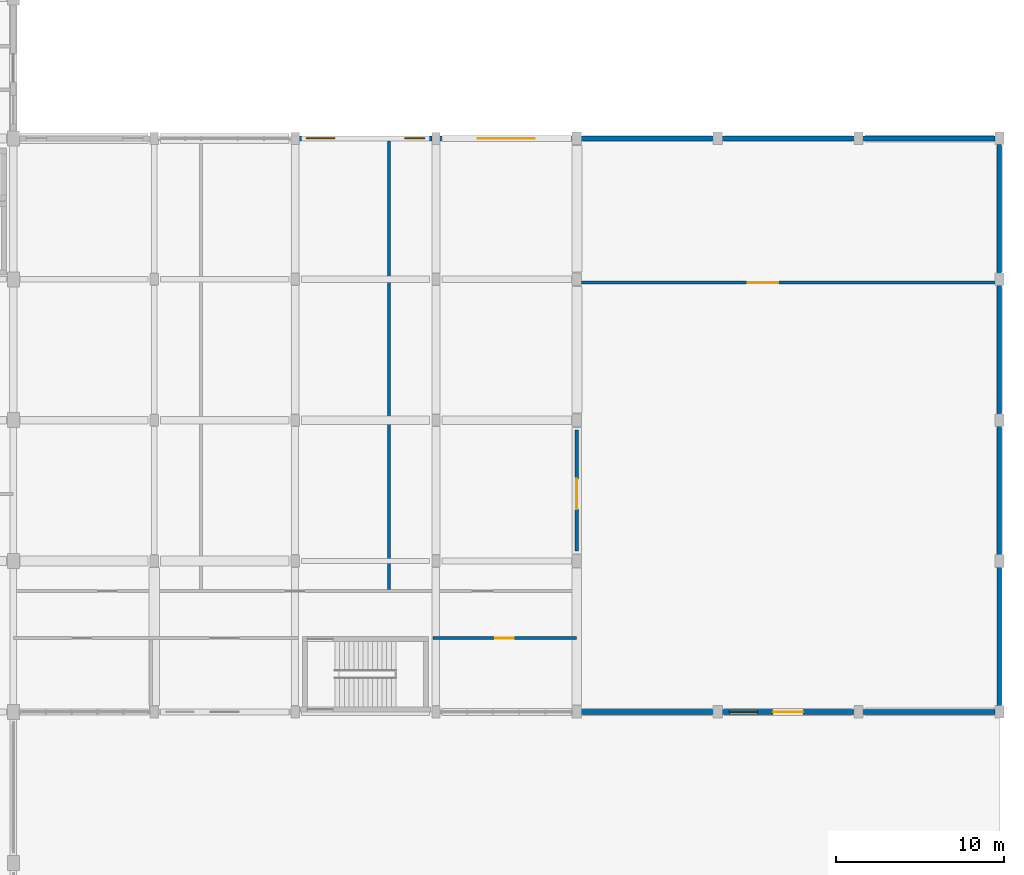
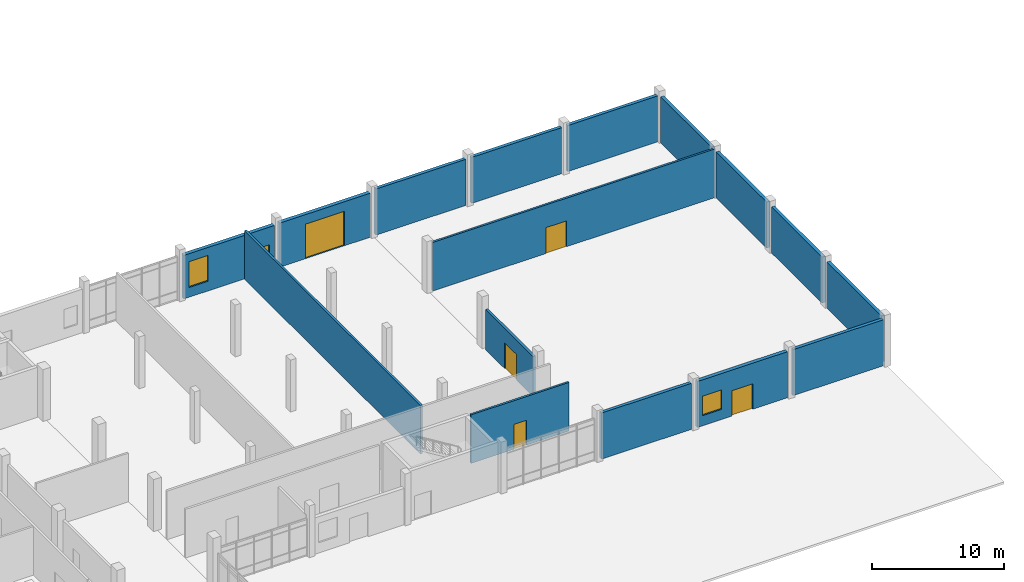
# One storey, part 83 of 95: 16 walls, 5 doors, 3 windows, 8 openings.
"""IFC4 building model written with IfcOpenShell, lengths in metres."""

from ifc_helpers import new_model, si_unit, direction, frame, frame_2d, origin, place, context, subcontext, project, spatial, rectangle, extrude, material, layer, layer_set, type_object, element, fill, save


model = new_model("IFC4")

# Units and contexts
model_context = context("Model", 3, precision=1e-05, world=origin(), true_north=direction((0.0, 1.0)))
body_context = subcontext(model_context, "Body", "Model", "MODEL_VIEW")
ifc_project = project(units=[si_unit("LENGTHUNIT", "METRE"), si_unit("AREAUNIT", "SQUARE_METRE"), si_unit("VOLUMEUNIT", "CUBIC_METRE"), si_unit("PLANEANGLEUNIT", "RADIAN"), si_unit("MASSUNIT", "GRAM", prefix="KILO")], contexts=[model_context])

# Site, building, storey
site_placement = place(None, origin())
site = spatial("IfcSite", under=ifc_project, at=site_placement, CompositionType="ELEMENT")
building_placement = place(site_placement, origin())
building = spatial("IfcBuilding", under=site, at=building_placement, Name="Vireocrest Preparatory School", CompositionType="ELEMENT")
storey_placement = place(building_placement, origin())
storey = spatial("IfcBuildingStorey", under=building, at=storey_placement, Name="L00", CompositionType="ELEMENT", Elevation=0.0)

# Wall, openings, door, window
ifc_material_1 = material(Name="Precast white concrete 40 MPa", Category="concrete")
ifc_layer_1 = layer(ifc_material_1, 0.320068359375)
ifc_layer_set_1 = layer_set([ifc_layer_1], Name="Precast white concrete 40 MPa")
wall_type_1 = type_object("IfcWallType", Name="High-Tech Insulated Rainscreen External Wall 320", PredefinedType="SOLIDWALL", material=ifc_layer_set_1)
wall_1_placement = place(storey_placement, frame((151.449951171875, 18.0, 0.0), z_axis=(0.0, 0.0, 1.0), x_axis=(1.0, 0.0, 0.0)))
wall_1 = element("IfcWall", 1, at=wall_1_placement, inside=storey, type_object=wall_type_1, Name="External Wall W12 EW_L00_0052", PredefinedType="SOLIDWALL", context=body_context, shape_type="SweptSolid", body=[
    extrude(rectangle(XDim=7.900146484375, YDim=0.320068359375, at=frame_2d((3.9501953125, 0.0))), origin(), (0.0, 0.0, 1.0), 4.26708984375),
])
opening_1_placement = place(wall_1_placement, frame((4.85009765625, 0.0, 0.0), z_axis=(0.0, 0.0, 1.0), x_axis=(-1.0, 0.0, 0.0)))
opening_1 = element("IfcOpeningElement", 2, at=opening_1_placement, cuts=wall_1, Name="Opening E8", PredefinedType="OPENING", context=body_context, shape_type="SweptSolid", body=[
    extrude(rectangle(XDim=1.800048828125, YDim=2.35009765625, at=frame_2d((0.89990234375, 1.175048828125))), frame((0.0, 0.169921875, 0.0), z_axis=(0.0, -1.0, 0.0), x_axis=(1.0, 0.0, 0.0)), (0.0, 0.0, 1.0), 0.340087890625),
])
opening_2_placement = place(wall_1_placement, frame((0.449951171875, 0.0, 0.949951171875)))
opening_2 = element("IfcOpeningElement", 3, at=opening_2_placement, cuts=wall_1, Name="Opening WN05", PredefinedType="OPENING", context=body_context, shape_type="SweptSolid", body=[
    extrude(rectangle(XDim=1.679931640625, YDim=1.800048828125, at=frame_2d((0.83984375, 0.89990234375))), frame((0.0, 0.169921875, 0.0), z_axis=(0.0, -1.0, 0.0), x_axis=(1.0, 0.0, 0.0)), (0.0, 0.0, 1.0), 0.340087890625),
])
ifc_material_2 = material(Name="Thermally broken glazed aluminium", Category="aluminium")
door_type_1 = type_object("IfcDoorType", Name="Campus Final Exit Double Door 1800x2350", OperationType="DOUBLE_DOOR_SINGLE_SWING", PredefinedType="DOOR", material=ifc_material_2)
door_1_placement = place(opening_1_placement, origin())
door_1 = element("IfcDoor", 4, at=door_1_placement, inside=storey, type_object=door_type_1, Name="Final Exit E8 Assembly Hall South", OperationType="DOUBLE_DOOR_SINGLE_SWING", OverallHeight=2.35009765625, OverallWidth=1.800048828125, PredefinedType="DOOR", context=body_context, shape_type="SweptSolid", body=[
    extrude(rectangle(XDim=1.800048828125, YDim=2.35009765625, at=frame_2d((0.89990234375, 1.175048828125))), frame((0.0, 0.02490234375, 0.0), z_axis=(0.0, -1.0, 0.0), x_axis=(1.0, 0.0, 0.0)), (0.0, 0.0, 1.0), 0.050048828125),
])
fill(opening_1, door_1)
ifc_material_3 = material(Name="Thermally broken aluminium EN AW-6063-T6", Category="aluminium")
window_type_1 = type_object("IfcWindowType", Name="Module Classroom Window 1680x1800", PartitioningType="SINGLE_PANEL", PredefinedType="WINDOW", material=ifc_material_3)
window_1_placement = place(opening_2_placement, origin())
window_1 = element("IfcWindow", 5, at=window_1_placement, inside=storey, type_object=window_type_1, Name="Window W-L00-002 (WN05)", OverallHeight=1.800048828125, OverallWidth=1.679931640625, PartitioningType="SINGLE_PANEL", PredefinedType="WINDOW", context=body_context, shape_type="SweptSolid", body=[
    extrude(rectangle(XDim=1.679931640625, YDim=1.800048828125, at=frame_2d((0.83984375, 0.89990234375))), frame((0.0, 0.030029296875, 0.0), z_axis=(0.0, -1.0, 0.0), x_axis=(1.0, 0.0, 0.0)), (0.0, 0.0, 1.0), 0.06005859375),
])
fill(opening_2, window_1)

# Wall, openings, windows
wall_2_placement = place(storey_placement, frame((126.22509765625, 52.199951171875, 0.0), z_axis=(0.0, 0.0, 1.0), x_axis=(1.0, 0.0, 0.0)))
wall_2 = element("IfcWall", 6, at=wall_2_placement, inside=storey, type_object=wall_type_1, Name="External Wall W12 EW_L00_0063", PredefinedType="SOLIDWALL", context=body_context, shape_type="SweptSolid", body=[
    extrude(rectangle(XDim=7.949951171875, YDim=0.320068359375, at=frame_2d((3.97509765625, 0.0))), origin(), (0.0, 0.0, 1.0), 4.030029296875),
])
opening_3_placement = place(wall_2_placement, frame((0.449951171875, 0.0, 0.89990234375)))
opening_3 = element("IfcOpeningElement", 7, at=opening_3_placement, cuts=wall_2, Name="Opening WN07", PredefinedType="OPENING", context=body_context, shape_type="SweptSolid", body=[
    extrude(rectangle(XDim=1.679931640625, YDim=2.39990234375, at=frame_2d((0.83984375, 1.199951171875))), frame((0.0, 0.169921875, 0.0), z_axis=(0.0, -1.0, 0.0), x_axis=(1.0, 0.0, 0.0)), (0.0, 0.0, 1.0), 0.340087890625),
])
opening_4_placement = place(wall_2_placement, frame((6.300048828125, 0.0, 0.89990234375)))
opening_4 = element("IfcOpeningElement", 8, at=opening_4_placement, cuts=wall_2, Name="Opening WN01", PredefinedType="OPENING", context=body_context, shape_type="SweptSolid", body=[
    extrude(rectangle(XDim=1.199951171875, YDim=1.5, at=frame_2d((0.60009765625, 0.75))), frame((0.0, 0.169921875, 0.0), z_axis=(0.0, -1.0, 0.0), x_axis=(1.0, 0.0, 0.0)), (0.0, 0.0, 1.0), 0.340087890625),
])
window_type_2 = type_object("IfcWindowType", Name="Module Lab Window 1680x2400", PartitioningType="SINGLE_PANEL", PredefinedType="WINDOW", material=ifc_material_3)
window_2_placement = place(opening_3_placement, origin())
window_2 = element("IfcWindow", 9, at=window_2_placement, inside=storey, type_object=window_type_2, Name="Window W-L00-005 (WN07)", OverallHeight=2.39990234375, OverallWidth=1.679931640625, PartitioningType="SINGLE_PANEL", PredefinedType="WINDOW", context=body_context, shape_type="SweptSolid", body=[
    extrude(rectangle(XDim=1.679931640625, YDim=2.39990234375, at=frame_2d((0.83984375, 1.199951171875))), frame((0.0, 0.030029296875, 0.0), z_axis=(0.0, -1.0, 0.0), x_axis=(1.0, 0.0, 0.0)), (0.0, 0.0, 1.0), 0.06005859375),
])
fill(opening_3, window_2)
window_type_3 = type_object("IfcWindowType", Name="Office Punched Window 1200x1500", PartitioningType="SINGLE_PANEL", PredefinedType="WINDOW", material=ifc_material_3)
window_3_placement = place(opening_4_placement, origin())
window_3 = element("IfcWindow", 10, at=window_3_placement, inside=storey, type_object=window_type_3, Name="Window W-L00-006 (WN01)", OverallHeight=1.5, OverallWidth=1.199951171875, PartitioningType="SINGLE_PANEL", PredefinedType="WINDOW", context=body_context, shape_type="SweptSolid", body=[
    extrude(rectangle(XDim=1.199951171875, YDim=1.5, at=frame_2d((0.60009765625, 0.75))), frame((0.0, 0.030029296875, 0.0), z_axis=(0.0, -1.0, 0.0), x_axis=(1.0, 0.0, 0.0)), (0.0, 0.0, 1.0), 0.06005859375),
])
fill(opening_4, window_3)

# Wall, opening, door
wall_3_placement = place(storey_placement, frame((134.625, 52.199951171875, 0.0), z_axis=(0.0, 0.0, 1.0), x_axis=(1.0, 0.0, 0.0)))
wall_3 = element("IfcWall", 11, at=wall_3_placement, inside=storey, type_object=wall_type_1, Name="External Wall W12 EW_L00_0064", PredefinedType="SOLIDWALL", context=body_context, shape_type="SweptSolid", body=[
    extrude(rectangle(XDim=7.925048828125, YDim=0.320068359375, at=frame_2d((3.96240234375, 0.0))), origin(), (0.0, 0.0, 1.0), 4.080078125),
])
opening_5_placement = place(wall_3_placement, frame((2.262451171875, 0.0, 0.0)))
opening_5 = element("IfcOpeningElement", 12, at=opening_5_placement, cuts=wall_3, Name="Opening SV01", PredefinedType="OPENING", context=body_context, shape_type="SweptSolid", body=[
    extrude(rectangle(XDim=3.39990234375, YDim=3.199951171875, at=frame_2d((1.699951171875, 1.60009765625))), frame((0.0, 0.169921875, 0.0), z_axis=(0.0, -1.0, 0.0), x_axis=(1.0, 0.0, 0.0)), (0.0, 0.0, 1.0), 0.340087890625),
])
ifc_material_4 = material(Name="Painted galvanized hollow steel", Category="steel")
door_type_2 = type_object("IfcDoorType", Name="Loading Bay Insulated Service Double Door 3400x3200", OperationType="DOUBLE_DOOR_SINGLE_SWING", PredefinedType="DOOR", material=ifc_material_4)
door_2_placement = place(opening_5_placement, origin())
door_2 = element("IfcDoor", 13, at=door_2_placement, inside=storey, type_object=door_type_2, Name="Service Loading Bay Overhead Vehicle Door SV01", OperationType="DOUBLE_DOOR_SINGLE_SWING", OverallHeight=3.199951171875, OverallWidth=3.39990234375, PredefinedType="DOOR", context=body_context, shape_type="SweptSolid", body=[
    extrude(rectangle(XDim=3.39990234375, YDim=3.199951171875, at=frame_2d((1.699951171875, 1.60009765625))), frame((0.0, 0.02490234375, 0.0), z_axis=(0.0, -1.0, 0.0), x_axis=(1.0, 0.0, 0.0)), (0.0, 0.0, 1.0), 0.050048828125),
])
fill(opening_5, door_2)

# Walls
ifc_layer_2 = layer(ifc_material_1, 0.280029296875)
ifc_layer_set_2 = layer_set([ifc_layer_2], Name="Precast white concrete 40 MPa")
wall_type_2 = type_object("IfcWallType", Name="Insulated Hall Precast Cladding Wall 280", PredefinedType="SOLIDWALL", material=ifc_layer_set_2)
for number, where, z_axis, x_axis, name in (
    (14, (143.050048828125, 18.0, 0.0), (0.0, 0.0, 1.0), (1.0, 0.0, 0.0), "External Wall W10 EW_L00_0051"),
    (15, (159.85009765625, 18.0, 0.0), (0.0, 0.0, 1.0), (1.0, 0.0, 0.0), "External Wall W10 EW_L00_0053"),
):
    element("IfcWall", number, at=place(storey_placement, frame(where, z_axis=z_axis, x_axis=x_axis)), inside=storey, type_object=wall_type_2, Name=name, PredefinedType="SOLIDWALL", context=body_context, shape_type="SweptSolid", body=[
        extrude(rectangle(XDim=7.89990234375, YDim=0.280029296875, at=frame_2d((3.949951171875, 0.0))), origin(), (0.0, 0.0, 1.0), 4.26708984375),
    ])
wall_4_placement = place(storey_placement, frame((168.0, 18.35009765625, 0.0), z_axis=(0.0, 0.0, 1.0), x_axis=(0.0, 1.0, 0.0)))
element("IfcWall", 16, at=wall_4_placement, inside=storey, type_object=wall_type_2, Name="External Wall W10 EW_L00_0054", PredefinedType="SOLIDWALL", context=body_context, shape_type="SweptSolid", body=[
    extrude(rectangle(XDim=8.2998046875, YDim=0.280029296875, at=frame_2d((4.14990234375, 0.0))), origin(), (0.0, 0.0, 1.0), 4.26708984375),
])
for number, where, z_axis, x_axis, name in (
    (17, (168.0, 27.35009765625, 0.0), (0.0, 0.0, 1.0), (0.0, 1.0, 0.0), "External Wall W10 EW_L00_0055"),
    (18, (168.0, 35.75, 0.0), (0.0, 0.0, 1.0), (0.0, 1.0, 0.0), "External Wall W10 EW_L00_0056"),
):
    element("IfcWall", number, at=place(storey_placement, frame(where, z_axis=z_axis, x_axis=x_axis)), inside=storey, type_object=wall_type_2, Name=name, PredefinedType="SOLIDWALL", context=body_context, shape_type="SweptSolid", body=[
        extrude(rectangle(XDim=7.699951171875, YDim=0.280029296875, at=frame_2d((3.85009765625, 0.0))), origin(), (0.0, 0.0, 1.0), 4.26708984375),
    ])
wall_5_placement = place(storey_placement, frame((168.0, 44.14990234375, 0.0), z_axis=(0.0, 0.0, 1.0), x_axis=(0.0, 1.0, 0.0)))
element("IfcWall", 19, at=wall_5_placement, inside=storey, type_object=wall_type_2, Name="External Wall W10 EW_L00_0057", PredefinedType="SOLIDWALL", context=body_context, shape_type="SweptSolid", body=[
    extrude(rectangle(XDim=7.7001953125, YDim=0.280029296875, at=frame_2d((3.85009765625, 0.0))), origin(), (0.0, 0.0, 1.0), 4.26708984375),
])
wall_6_placement = place(storey_placement, frame((143.050048828125, 52.199951171875, 0.0), z_axis=(0.0, 0.0, 1.0), x_axis=(1.0, 0.0, 0.0)))
element("IfcWall", 20, at=wall_6_placement, inside=storey, type_object=wall_type_2, Name="External Wall W10 EW_L00_0058", PredefinedType="SOLIDWALL", context=body_context, shape_type="SweptSolid", body=[
    extrude(rectangle(XDim=7.89990234375, YDim=0.280029296875, at=frame_2d((3.949951171875, 0.0))), origin(), (0.0, 0.0, 1.0), 4.26708984375),
])
wall_7_placement = place(storey_placement, frame((151.449951171875, 52.199951171875, 0.0), z_axis=(0.0, 0.0, 1.0), x_axis=(1.0, 0.0, 0.0)))
element("IfcWall", 21, at=wall_7_placement, inside=storey, type_object=wall_type_2, Name="External Wall W10 EW_L00_0059", PredefinedType="SOLIDWALL", context=body_context, shape_type="SweptSolid", body=[
    extrude(rectangle(XDim=7.900146484375, YDim=0.280029296875, at=frame_2d((3.9501953125, 0.0))), origin(), (0.0, 0.0, 1.0), 4.26708984375),
])
wall_8_placement = place(storey_placement, frame((159.85009765625, 52.199951171875, 0.0), z_axis=(0.0, 0.0, 1.0), x_axis=(1.0, 0.0, 0.0)))
element("IfcWall", 22, at=wall_8_placement, inside=storey, type_object=wall_type_2, Name="External Wall W10 EW_L00_0060", PredefinedType="SOLIDWALL", context=body_context, shape_type="SweptSolid", body=[
    extrude(rectangle(XDim=7.89990234375, YDim=0.280029296875, at=frame_2d((3.949951171875, 0.0))), origin(), (0.0, 0.0, 1.0), 4.26708984375),
])

# Wall, opening, door
ifc_material_5 = material(Name="Acoustic concrete masonry unitwork", Category="masonry")
ifc_layer_3 = layer(ifc_material_5, 0.219970703125)
ifc_layer_set_3 = layer_set([ifc_layer_3], Name="Acoustic concrete masonry unitwork")
wall_type_3 = type_object("IfcWallType", Name="Internal Acoustic Masonry Wall 220", PredefinedType="SOLIDWALL", material=ifc_layer_set_3)
wall_9_placement = place(storey_placement, frame((142.800048828125, 27.60009765625, 0.0), z_axis=(0.0, 0.0, 1.0), x_axis=(0.0, 1.0, 0.0)))
wall_9 = element("IfcWall", 23, at=wall_9_placement, inside=storey, type_object=wall_type_3, Name="Assembly Hall Acoustic Entry Wall W07-2", PredefinedType="SOLIDWALL", context=body_context, shape_type="SweptSolid", body=[
    extrude(rectangle(XDim=7.199951171875, YDim=0.219970703125, at=frame_2d((3.60009765625, 0.0))), origin(), (0.0, 0.0, 1.0), 3.719970703125),
])
opening_6_placement = place(wall_9_placement, frame((2.5, 0.0, 0.0)))
opening_6 = element("IfcOpeningElement", 24, at=opening_6_placement, cuts=wall_9, Name="Opening D-L00-AH1", PredefinedType="OPENING", context=body_context, shape_type="SweptSolid", body=[
    extrude(rectangle(XDim=1.800048828125, YDim=2.39990234375, at=frame_2d((0.89990234375, 1.199951171875))), frame((0.0, 0.119873046875, 0.0), z_axis=(0.0, -1.0, 0.0), x_axis=(1.0, 0.0, 0.0)), (0.0, 0.0, 1.0), 0.239990234375),
])
ifc_material_6 = material(Name="Solid-core architectural birch timber", Category="wood")
door_type_3 = type_object("IfcDoorType", Name="Assembly Hall Acoustic Double Door 1800x2400", OperationType="DOUBLE_DOOR_SINGLE_SWING", PredefinedType="DOOR", material=ifc_material_6)
door_3_placement = place(opening_6_placement, origin())
door_3 = element("IfcDoor", 25, at=door_3_placement, inside=storey, type_object=door_type_3, Name="Assembly Hall Main Double Door D-L00-AH1", OperationType="DOUBLE_DOOR_SINGLE_SWING", OverallHeight=2.39990234375, OverallWidth=1.800048828125, PredefinedType="DOOR", context=body_context, shape_type="SweptSolid", body=[
    extrude(rectangle(XDim=1.800048828125, YDim=2.39990234375, at=frame_2d((0.89990234375, 1.199951171875))), frame((0.0, 0.02490234375, 0.0), z_axis=(0.0, -1.0, 0.0), x_axis=(1.0, 0.0, 0.0)), (0.0, 0.0, 1.0), 0.050048828125),
])
fill(opening_6, door_3)

# Wall
ifc_material_7 = material(Name="Gypsum board on cold-formed steel studs", Category="steel")
ifc_layer_4 = layer(ifc_material_7, 0.179931640625)
ifc_layer_set_4 = layer_set([ifc_layer_4], Name="Gypsum board on cold-formed steel studs")
wall_type_4 = type_object("IfcWallType", Name="Music and Drama Double-Stud Partition 180", PredefinedType="PARTITIONING", material=ifc_layer_set_4)
wall_10_placement = place(storey_placement, frame((131.60009765625, 25.294921875, 0.0), z_axis=(0.0, 0.0, 1.0), x_axis=(0.0, 1.0, 0.0)))
element("IfcWall", 26, at=wall_10_placement, inside=storey, type_object=wall_type_4, Name="Interior Partition W05 IW_L00_0113", PredefinedType="PARTITIONING", context=body_context, shape_type="SweptSolid", body=[
    extrude(rectangle(XDim=26.739990234375, YDim=0.179931640625, at=frame_2d((13.3701171875, 0.0))), origin(), (0.0, 0.0, 1.0), 4.5),
])

# Wall, opening, door
wall_11_placement = place(storey_placement, frame((134.2099609375, 22.39990234375, 0.0), z_axis=(0.0, 0.0, 1.0), x_axis=(1.0, 0.0, 0.0)))
wall_11 = element("IfcWall", 27, at=wall_11_placement, inside=storey, type_object=wall_type_4, Name="Interior Partition W05 IW_L00_0117", PredefinedType="PARTITIONING", context=body_context, shape_type="SweptSolid", body=[
    extrude(rectangle(XDim=8.580078125, YDim=0.179931640625, at=frame_2d((4.2900390625, 0.0))), origin(), (0.0, 0.0, 1.0), 4.5),
])
opening_7_placement = place(wall_11_placement, frame((3.739990234375, 0.0, 0.0)))
opening_7 = element("IfcOpeningElement", 28, at=opening_7_placement, cuts=wall_11, Name="Opening D-L00-PASE01", PredefinedType="OPENING", context=body_context, shape_type="SweptSolid", body=[
    extrude(rectangle(XDim=1.10009765625, YDim=2.300048828125, at=frame_2d((0.550048828125, 1.14990234375))), frame((0.0, 0.099853515625, 0.0), z_axis=(0.0, -1.0, 0.0), x_axis=(1.0, 0.0, 0.0)), (0.0, 0.0, 1.0), 0.199951171875),
])
door_type_4 = type_object("IfcDoorType", Name="Music Studio Acoustic Door 1100x2300", OperationType="NOTDEFINED", PredefinedType="DOOR", material=ifc_material_4)
door_4_placement = place(opening_7_placement, origin())
door_4 = element("IfcDoor", 29, at=door_4_placement, inside=storey, type_object=door_type_4, Name="Interior Door D-L00-PASE01", OperationType="SINGLE_SWING_LEFT", OverallHeight=2.300048828125, OverallWidth=1.10009765625, PredefinedType="DOOR", context=body_context, shape_type="SweptSolid", body=[
    extrude(rectangle(XDim=1.10009765625, YDim=2.300048828125, at=frame_2d((0.550048828125, 1.14990234375))), frame((0.0, 0.02490234375, 0.0), z_axis=(0.0, -1.0, 0.0), x_axis=(1.0, 0.0, 0.0)), (0.0, 0.0, 1.0), 0.050048828125),
])
fill(opening_7, door_4)

wall_12_placement = place(storey_placement, frame((143.0849609375, 43.60009765625, 0.0), z_axis=(0.0, 0.0, 1.0), x_axis=(1.0, 0.0, 0.0)))
wall_12 = element("IfcWall", 30, at=wall_12_placement, inside=storey, type_object=wall_type_4, Name="Interior Partition W05 IW_L00_0118", PredefinedType="PARTITIONING", context=body_context, shape_type="SweptSolid", body=[
    extrude(rectangle(XDim=24.77001953125, YDim=0.179931640625, at=frame_2d((12.385009765625, 0.0))), origin(), (0.0, 0.0, 1.0), 4.5),
])
opening_8_placement = place(wall_12_placement, frame((9.9150390625, 0.0, 0.0)))
opening_8 = element("IfcOpeningElement", 31, at=opening_8_placement, cuts=wall_12, Name="Opening D-L00-STG1", PredefinedType="OPENING", context=body_context, shape_type="SweptSolid", body=[
    extrude(rectangle(XDim=1.800048828125, YDim=2.39990234375, at=frame_2d((0.89990234375, 1.199951171875))), frame((0.0, 0.099853515625, 0.0), z_axis=(0.0, -1.0, 0.0), x_axis=(1.0, 0.0, 0.0)), (0.0, 0.0, 1.0), 0.199951171875),
])
door_5_placement = place(opening_8_placement, origin())
door_5 = element("IfcDoor", 32, at=door_5_placement, inside=storey, type_object=door_type_3, Name="Interior Door D-L00-STG1", OperationType="DOUBLE_DOOR_SINGLE_SWING", OverallHeight=2.39990234375, OverallWidth=1.800048828125, PredefinedType="DOOR", context=body_context, shape_type="SweptSolid", body=[
    extrude(rectangle(XDim=1.800048828125, YDim=2.39990234375, at=frame_2d((0.89990234375, 1.199951171875))), frame((0.0, 0.02490234375, 0.0), z_axis=(0.0, -1.0, 0.0), x_axis=(1.0, 0.0, 0.0)), (0.0, 0.0, 1.0), 0.050048828125),
])
fill(opening_8, door_5)

save(model, "model.ifc")
